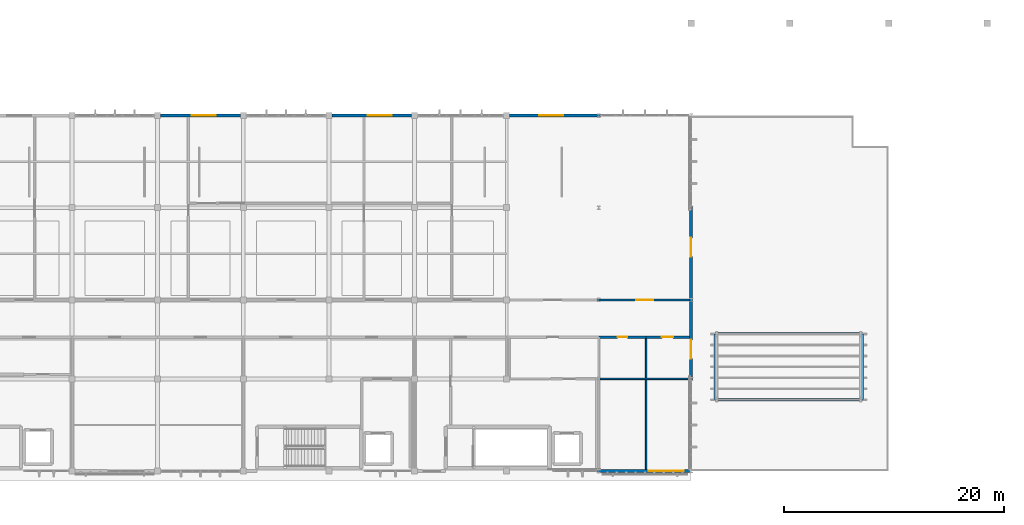
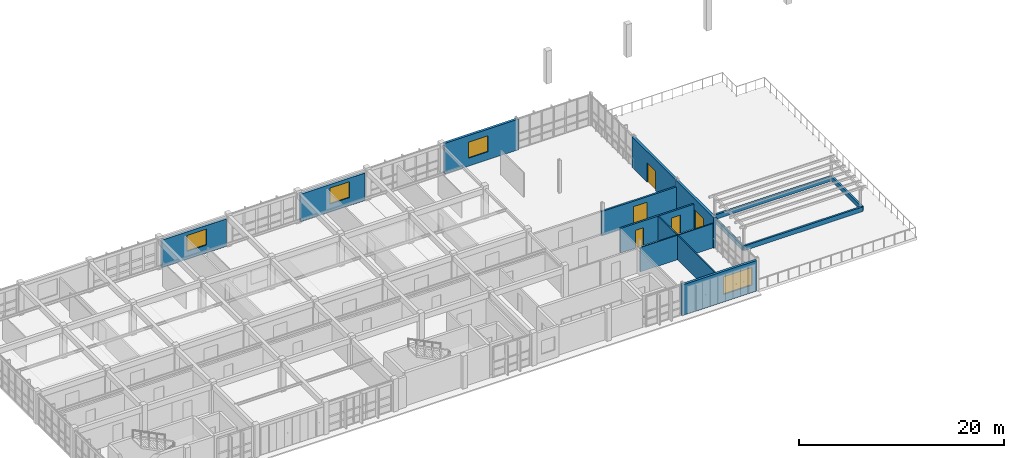
# One storey, part 24 of 35: 15 walls, 5 doors, 4 windows, 9 openings.
"""IFC4 building model written with IfcOpenShell, lengths in metres."""

from ifc_helpers import new_model, si_unit, direction, frame, frame_2d, origin, place, context, subcontext, project, spatial, rectangle, extrude, material, layer, layer_set, type_object, element, fill, save


model = new_model("IFC4")

# Units and contexts
model_context = context("Model", 3, precision=1e-05, world=origin(), true_north=direction((0.0, 1.0)))
body_context = subcontext(model_context, "Body", "Model", "MODEL_VIEW")
ifc_project = project(units=[si_unit("LENGTHUNIT", "METRE"), si_unit("AREAUNIT", "SQUARE_METRE"), si_unit("VOLUMEUNIT", "CUBIC_METRE"), si_unit("PLANEANGLEUNIT", "RADIAN"), si_unit("MASSUNIT", "GRAM", prefix="KILO")], contexts=[model_context])

# Site, building, storey
site_placement = place(None, origin())
site = spatial("IfcSite", under=ifc_project, at=site_placement, CompositionType="ELEMENT")
building_placement = place(site_placement, origin())
building = spatial("IfcBuilding", under=site, at=building_placement, Name="Tizgana Railside Sports Hall", CompositionType="ELEMENT")
storey_placement = place(building_placement, frame((0.0, 0.0, 15.89990234375)))
storey = spatial("IfcBuildingStorey", under=building, at=storey_placement, Name="L03", CompositionType="ELEMENT", Elevation=15.89990234375)

# Wall, opening, door
ifc_material_1 = material(Name="Masonry blockwork", Category="masonry")
ifc_layer_1 = layer(ifc_material_1, 0.199951171875, Name="Masonry blockwork")
ifc_layer_set_1 = layer_set([ifc_layer_1], Name="Masonry blockwork")
wall_type_1 = type_object("IfcWallType", Name="Corridor Compartment Partition 200", PredefinedType="STANDARD", material=ifc_layer_set_1)
wall_1_placement = place(storey_placement, frame((71.2548828125, 15.60009765625, 0.0), z_axis=(0.0, 0.0, 1.0), x_axis=(1.0, 0.0, 0.0)))
wall_1 = element("IfcWall", 1, at=wall_1_placement, inside=storey, type_object=wall_type_1, Name="L03 Partition PWAL-0170", PredefinedType="STANDARD", context=body_context, shape_type="SweptSolid", body=[
    extrude(rectangle(XDim=8.405029296875, YDim=0.199951171875, at=frame_2d((4.20263671875, 0.0))), origin(), (0.0, 0.0, 1.0), 2.900146484375),
])
opening_1_placement = place(wall_1_placement, frame((3.570068359375, 0.0, 0.0)))
opening_1 = element("IfcOpeningElement", 2, at=opening_1_placement, cuts=wall_1, Name="Opening D-0204", PredefinedType="OPENING", context=body_context, shape_type="SweptSolid", body=[
    extrude(rectangle(XDim=1.550048828125, YDim=2.25, at=frame_2d((0.77490234375, 1.125))), frame((0.0, 0.10986328125, 0.0), z_axis=(0.0, -1.0, 0.0), x_axis=(1.0, 0.0, 0.0)), (0.0, 0.0, 1.0), 0.219970703125),
])
ifc_material_2 = material(Name="Acoustic perforated timber", Category="wood")
door_type_1 = type_object("IfcDoorType", Name="Studio Acoustic Double Door 1550x2250", OperationType="NOTDEFINED", PredefinedType="DOOR", material=ifc_material_2)
door_1_placement = place(opening_1_placement, origin())
door_1 = element("IfcDoor", 3, at=door_1_placement, inside=storey, type_object=door_type_1, Name="L03 Door D-0204", OperationType="DOUBLE_DOOR_SINGLE_SWING", OverallHeight=2.25, OverallWidth=1.550048828125, PredefinedType="DOOR", context=body_context, shape_type="SweptSolid", body=[
    extrude(rectangle(XDim=1.550048828125, YDim=2.25, at=frame_2d((0.77490234375, 1.125))), frame((0.0, 0.02490234375, 0.0), z_axis=(0.0, -1.0, 0.0), x_axis=(1.0, 0.0, 0.0)), (0.0, 0.0, 1.0), 0.050048828125),
])
fill(opening_1, door_1)

wall_2_placement = place(storey_placement, frame((71.39990234375, 12.199951171875, 0.0), z_axis=(0.0, 0.0, 1.0), x_axis=(1.0, 0.0, 0.0)))
wall_2 = element("IfcWall", 4, at=wall_2_placement, inside=storey, type_object=wall_type_1, Name="L03 Partition PWAL-0171", PredefinedType="STANDARD", context=body_context, shape_type="SweptSolid", body=[
    extrude(rectangle(XDim=4.300048828125, YDim=0.199951171875, at=frame_2d((2.14990234375, 0.0))), origin(), (0.0, 0.0, 1.0), 2.900146484375),
])
opening_2_placement = place(wall_2_placement, frame((1.7099609375, 0.0, 0.0)))
opening_2 = element("IfcOpeningElement", 5, at=opening_2_placement, cuts=wall_2, Name="Opening D-0205", PredefinedType="OPENING", context=body_context, shape_type="SweptSolid", body=[
    extrude(rectangle(XDim=0.8798828125, YDim=2.10009765625, at=frame_2d((0.43994140625, 1.050048828125))), frame((0.0, 0.10986328125, 0.0), z_axis=(0.0, -1.0, 0.0), x_axis=(1.0, 0.0, 0.0)), (0.0, 0.0, 1.0), 0.219970703125),
])
ifc_material_3 = material(Name="Solid beech timber", Category="wood")
door_type_2 = type_object("IfcDoorType", Name="Public & Staff WC Door 880x2100", OperationType="NOTDEFINED", PredefinedType="DOOR", material=ifc_material_3)
door_2_placement = place(opening_2_placement, origin())
door_2 = element("IfcDoor", 6, at=door_2_placement, inside=storey, type_object=door_type_2, Name="L03 Door D-0205", OperationType="SINGLE_SWING_LEFT", OverallHeight=2.10009765625, OverallWidth=0.8798828125, PredefinedType="DOOR", context=body_context, shape_type="SweptSolid", body=[
    extrude(rectangle(XDim=0.8798828125, YDim=2.10009765625, at=frame_2d((0.43994140625, 1.050048828125))), frame((0.0, 0.02490234375, 0.0), z_axis=(0.0, -1.0, 0.0), x_axis=(1.0, 0.0, 0.0)), (0.0, 0.0, 1.0), 0.050048828125),
])
fill(opening_2, door_2)

wall_3_placement = place(storey_placement, frame((75.699951171875, 12.199951171875, 0.0), z_axis=(0.0, 0.0, 1.0), x_axis=(1.0, 0.0, 0.0)))
wall_3 = element("IfcWall", 7, at=wall_3_placement, inside=storey, type_object=wall_type_1, Name="L03 Partition PWAL-0172", PredefinedType="STANDARD", context=body_context, shape_type="SweptSolid", body=[
    extrude(rectangle(XDim=3.9599609375, YDim=0.199951171875, at=frame_2d((1.97998046875, 0.0))), origin(), (0.0, 0.0, 1.0), 2.900146484375),
])
opening_3_placement = place(wall_3_placement, frame((1.43994140625, 0.0, 0.0)))
opening_3 = element("IfcOpeningElement", 8, at=opening_3_placement, cuts=wall_3, Name="Opening D-0206", PredefinedType="OPENING", context=body_context, shape_type="SweptSolid", body=[
    extrude(rectangle(XDim=1.02001953125, YDim=2.14990234375, at=frame_2d((0.510009765625, 1.074951171875))), frame((0.0, 0.10986328125, 0.0), z_axis=(0.0, -1.0, 0.0), x_axis=(1.0, 0.0, 0.0)), (0.0, 0.0, 1.0), 0.219970703125),
])
door_type_3 = type_object("IfcDoorType", Name="Accessible Changing & WC Door 1020x2150", OperationType="NOTDEFINED", PredefinedType="DOOR", material=ifc_material_3)
door_3_placement = place(opening_3_placement, origin())
door_3 = element("IfcDoor", 9, at=door_3_placement, inside=storey, type_object=door_type_3, Name="L03 Door D-0206", OperationType="SINGLE_SWING_RIGHT", OverallHeight=2.14990234375, OverallWidth=1.02001953125, PredefinedType="DOOR", context=body_context, shape_type="SweptSolid", body=[
    extrude(rectangle(XDim=1.02001953125, YDim=2.14990234375, at=frame_2d((0.510009765625, 1.074951171875))), frame((0.0, 0.02490234375, 0.0), z_axis=(0.0, -1.0, 0.0), x_axis=(1.0, 0.0, 0.0)), (0.0, 0.0, 1.0), 0.050048828125),
])
fill(opening_3, door_3)

# Wall, opening, window
ifc_material_4 = material(Name="Precast concrete C40/50", Category="concrete")
ifc_layer_2 = layer(ifc_material_4, 0.27001953125, Name="Precast concrete C40/50")
ifc_layer_set_2 = layer_set([ifc_layer_2], Name="Precast concrete C40/50")
wall_type_2 = type_object("IfcWallType", Name="Exterior Studio Facade Wall 270", PredefinedType="STANDARD", material=ifc_layer_set_2)
wall_4_placement = place(storey_placement, frame((79.669921875, 0.0, 0.0), z_axis=(0.0, 0.0, 1.0), x_axis=(-1.0, 0.0, 0.0)))
wall_4 = element("IfcWall", 10, at=wall_4_placement, inside=storey, type_object=wall_type_2, Name="L03 Exterior Wall EWAL-0114", PredefinedType="STANDARD", context=body_context, shape_type="SweptSolid", body=[
    extrude(rectangle(XDim=8.4150390625, YDim=0.27001953125, at=frame_2d((4.20751953125, 0.0))), origin(), (0.0, 0.0, 1.0), 3.64013671875),
])
opening_4_placement = place(wall_4_placement, frame((0.52001953125, 0.0, 0.89990234375)))
opening_4 = element("IfcOpeningElement", 11, at=opening_4_placement, cuts=wall_4, Name="Opening W-0084", PredefinedType="OPENING", context=body_context, shape_type="SweptSolid", body=[
    extrude(rectangle(XDim=3.199951171875, YDim=2.10009765625, at=frame_2d((1.60009765625, 1.050048828125))), frame((0.0, 0.14501953125, 0.0), z_axis=(0.0, -1.0, 0.0), x_axis=(1.0, 0.0, 0.0)), (0.0, 0.0, 1.0), 0.2900390625),
])
ifc_material_5 = material(Name="Double low-E laminated glass", Category="glass")
window_type_1 = type_object("IfcWindowType", Name="Studio Wide Window 3200x2100", PartitioningType="SINGLE_PANEL", PredefinedType="WINDOW", material=ifc_material_5)
window_1_placement = place(opening_4_placement, origin())
window_1 = element("IfcWindow", 12, at=window_1_placement, inside=storey, type_object=window_type_1, Name="L03 Window W-0084", OverallHeight=2.10009765625, OverallWidth=3.199951171875, PartitioningType="SINGLE_PANEL", PredefinedType="WINDOW", context=body_context, shape_type="SweptSolid", body=[
    extrude(rectangle(XDim=3.199951171875, YDim=2.10009765625, at=frame_2d((1.60009765625, 1.050048828125))), frame((0.0, 0.030029296875, 0.0), z_axis=(0.0, -1.0, 0.0), x_axis=(1.0, 0.0, 0.0)), (0.0, 0.0, 1.0), 0.06005859375),
])
fill(opening_4, window_1)

wall_5_placement = place(storey_placement, frame((31.465087890625, 32.39990234375, 0.0), z_axis=(0.0, 0.0, 1.0), x_axis=(1.0, 0.0, 0.0)))
wall_5 = element("IfcWall", 13, at=wall_5_placement, inside=storey, type_object=wall_type_2, Name="L03 Exterior Wall EWAL-0116", PredefinedType="STANDARD", context=body_context, shape_type="SweptSolid", body=[
    extrude(rectangle(XDim=7.27001953125, YDim=0.27001953125, at=frame_2d((3.635009765625, 0.0))), origin(), (0.0, 0.0, 1.0), 3.27099609375),
])
opening_5_placement = place(wall_5_placement, frame((2.8349609375, 0.0, 0.949951171875)))
opening_5 = element("IfcOpeningElement", 14, at=opening_5_placement, cuts=wall_5, Name="Opening W-0086", PredefinedType="OPENING", context=body_context, shape_type="SweptSolid", body=[
    extrude(rectangle(XDim=2.199951171875, YDim=1.89990234375, at=frame_2d((1.10009765625, 0.949951171875))), frame((0.0, 0.14501953125, 0.0), z_axis=(0.0, -1.0, 0.0), x_axis=(1.0, 0.0, 0.0)), (0.0, 0.0, 1.0), 0.2900390625),
])
window_type_2 = type_object("IfcWindowType", Name="Clinic Double Window 2200x1900", PartitioningType="SINGLE_PANEL", PredefinedType="WINDOW", material=ifc_material_5)
window_2_placement = place(opening_5_placement, origin())
window_2 = element("IfcWindow", 15, at=window_2_placement, inside=storey, type_object=window_type_2, Name="L03 Window W-0086", OverallHeight=1.89990234375, OverallWidth=2.199951171875, PartitioningType="SINGLE_PANEL", PredefinedType="WINDOW", context=body_context, shape_type="SweptSolid", body=[
    extrude(rectangle(XDim=2.199951171875, YDim=1.89990234375, at=frame_2d((1.10009765625, 0.949951171875))), frame((0.0, 0.030029296875, 0.0), z_axis=(0.0, -1.0, 0.0), x_axis=(1.0, 0.0, 0.0)), (0.0, 0.0, 1.0), 0.06005859375),
])
fill(opening_5, window_2)

wall_6_placement = place(storey_placement, frame((47.06494140625, 32.39990234375, 0.0), z_axis=(0.0, 0.0, 1.0), x_axis=(1.0, 0.0, 0.0)))
wall_6 = element("IfcWall", 16, at=wall_6_placement, inside=storey, type_object=wall_type_2, Name="L03 Exterior Wall EWAL-0117", PredefinedType="STANDARD", context=body_context, shape_type="SweptSolid", body=[
    extrude(rectangle(XDim=7.27001953125, YDim=0.27001953125, at=frame_2d((3.635009765625, 0.0))), origin(), (0.0, 0.0, 1.0), 3.27099609375),
])
opening_6_placement = place(wall_6_placement, frame((3.284912109375, 0.0, 0.949951171875)))
opening_6 = element("IfcOpeningElement", 17, at=opening_6_placement, cuts=wall_6, Name="Opening W-0087", PredefinedType="OPENING", context=body_context, shape_type="SweptSolid", body=[
    extrude(rectangle(XDim=2.199951171875, YDim=1.89990234375, at=frame_2d((1.10009765625, 0.949951171875))), frame((0.0, 0.14501953125, 0.0), z_axis=(0.0, -1.0, 0.0), x_axis=(1.0, 0.0, 0.0)), (0.0, 0.0, 1.0), 0.2900390625),
])
window_3_placement = place(opening_6_placement, origin())
window_3 = element("IfcWindow", 18, at=window_3_placement, inside=storey, type_object=window_type_2, Name="L03 Window W-0087", OverallHeight=1.89990234375, OverallWidth=2.199951171875, PartitioningType="SINGLE_PANEL", PredefinedType="WINDOW", context=body_context, shape_type="SweptSolid", body=[
    extrude(rectangle(XDim=2.199951171875, YDim=1.89990234375, at=frame_2d((1.10009765625, 0.949951171875))), frame((0.0, 0.030029296875, 0.0), z_axis=(0.0, -1.0, 0.0), x_axis=(1.0, 0.0, 0.0)), (0.0, 0.0, 1.0), 0.06005859375),
])
fill(opening_6, window_3)

wall_7_placement = place(storey_placement, frame((63.264892578125, 32.39990234375, 0.0), z_axis=(0.0, 0.0, 1.0), x_axis=(1.0, 0.0, 0.0)))
wall_7 = element("IfcWall", 19, at=wall_7_placement, inside=storey, type_object=wall_type_2, Name="L03 Exterior Wall EWAL-0118", PredefinedType="STANDARD", context=body_context, shape_type="SweptSolid", body=[
    extrude(rectangle(XDim=8.2900390625, YDim=0.27001953125, at=frame_2d((4.14501953125, 0.0))), origin(), (0.0, 0.0, 1.0), 3.64013671875),
])
opening_7_placement = place(wall_7_placement, frame((2.68505859375, 0.0, 0.949951171875)))
opening_7 = element("IfcOpeningElement", 20, at=opening_7_placement, cuts=wall_7, Name="Opening W-0088", PredefinedType="OPENING", context=body_context, shape_type="SweptSolid", body=[
    extrude(rectangle(XDim=2.199951171875, YDim=1.89990234375, at=frame_2d((1.10009765625, 0.949951171875))), frame((0.0, 0.14501953125, 0.0), z_axis=(0.0, -1.0, 0.0), x_axis=(1.0, 0.0, 0.0)), (0.0, 0.0, 1.0), 0.2900390625),
])
window_4_placement = place(opening_7_placement, origin())
window_4 = element("IfcWindow", 21, at=window_4_placement, inside=storey, type_object=window_type_2, Name="L03 Window W-0088", OverallHeight=1.89990234375, OverallWidth=2.199951171875, PartitioningType="SINGLE_PANEL", PredefinedType="WINDOW", context=body_context, shape_type="SweptSolid", body=[
    extrude(rectangle(XDim=2.199951171875, YDim=1.89990234375, at=frame_2d((1.10009765625, 0.949951171875))), frame((0.0, 0.030029296875, 0.0), z_axis=(0.0, -1.0, 0.0), x_axis=(1.0, 0.0, 0.0)), (0.0, 0.0, 1.0), 0.06005859375),
])
fill(opening_7, window_4)

# Wall, opening, door
wall_8_placement = place(storey_placement, frame((79.800048828125, 15.72509765625, 0.0), z_axis=(0.0, 0.0, 1.0), x_axis=(0.0, -1.0, 0.0)))
wall_8 = element("IfcWall", 22, at=wall_8_placement, inside=storey, type_object=wall_type_2, Name="L03 Exterior Wall EWAL-0119", PredefinedType="STANDARD", context=body_context, shape_type="SweptSolid", body=[
    extrude(rectangle(XDim=7.489990234375, YDim=0.27001953125, at=frame_2d((3.7451171875, 0.0))), origin(), (0.0, 0.0, 1.0), 3.64013671875),
])
opening_8_placement = place(wall_8_placement, frame((3.77490234375, 0.0, 0.0)))
opening_8 = element("IfcOpeningElement", 23, at=opening_8_placement, cuts=wall_8, Name="Opening D-0027", PredefinedType="OPENING", context=body_context, shape_type="SweptSolid", body=[
    extrude(rectangle(XDim=1.699951171875, YDim=2.300048828125, at=frame_2d((0.85009765625, 1.14990234375))), frame((0.0, 0.14501953125, 0.0), z_axis=(0.0, -1.0, 0.0), x_axis=(1.0, 0.0, 0.0)), (0.0, 0.0, 1.0), 0.2900390625),
])
ifc_material_6 = material(Name="Anodised aluminium and glass", Category="aluminium")
door_type_4 = type_object("IfcDoorType", Name="Planted Terrace Double Door 1700x2300", OperationType="NOTDEFINED", PredefinedType="DOOR", material=ifc_material_6)
door_4_placement = place(opening_8_placement, origin())
door_4 = element("IfcDoor", 24, at=door_4_placement, inside=storey, type_object=door_type_4, Name="L03 Door D-0027", OperationType="DOUBLE_DOOR_SINGLE_SWING", OverallHeight=2.300048828125, OverallWidth=1.699951171875, PredefinedType="DOOR", context=body_context, shape_type="SweptSolid", body=[
    extrude(rectangle(XDim=1.699951171875, YDim=2.300048828125, at=frame_2d((0.85009765625, 1.14990234375))), frame((0.0, 0.02490234375, 0.0), z_axis=(0.0, -1.0, 0.0), x_axis=(1.0, 0.0, 0.0)), (0.0, 0.0, 1.0), 0.050048828125),
])
fill(opening_8, door_4)

wall_9_placement = place(storey_placement, frame((79.800048828125, 24.155029296875, 0.0), z_axis=(0.0, 0.0, 1.0), x_axis=(0.0, -1.0, 0.0)))
wall_9 = element("IfcWall", 25, at=wall_9_placement, inside=storey, type_object=wall_type_2, Name="L03 Exterior Wall EWAL-0120", PredefinedType="STANDARD", context=body_context, shape_type="SweptSolid", body=[
    extrude(rectangle(XDim=8.425048828125, YDim=0.27001953125, at=frame_2d((4.21240234375, 0.0))), origin(), (0.0, 0.0, 1.0), 3.64013671875),
])
opening_9_placement = place(wall_9_placement, frame((2.905029296875, 0.0, 0.0)))
opening_9 = element("IfcOpeningElement", 26, at=opening_9_placement, cuts=wall_9, Name="Opening D-0028", PredefinedType="OPENING", context=body_context, shape_type="SweptSolid", body=[
    extrude(rectangle(XDim=1.699951171875, YDim=2.300048828125, at=frame_2d((0.85009765625, 1.14990234375))), frame((0.0, 0.14501953125, 0.0), z_axis=(0.0, -1.0, 0.0), x_axis=(1.0, 0.0, 0.0)), (0.0, 0.0, 1.0), 0.2900390625),
])
door_5_placement = place(opening_9_placement, origin())
door_5 = element("IfcDoor", 27, at=door_5_placement, inside=storey, type_object=door_type_4, Name="L03 Door D-0028", OperationType="DOUBLE_DOOR_SINGLE_SWING", OverallHeight=2.300048828125, OverallWidth=1.699951171875, PredefinedType="DOOR", context=body_context, shape_type="SweptSolid", body=[
    extrude(rectangle(XDim=1.699951171875, YDim=2.300048828125, at=frame_2d((0.85009765625, 1.14990234375))), frame((0.0, 0.02490234375, 0.0), z_axis=(0.0, -1.0, 0.0), x_axis=(1.0, 0.0, 0.0)), (0.0, 0.0, 1.0), 0.050048828125),
])
fill(opening_9, door_5)

# Walls
ifc_material_7 = material(Name="Acoustic gypsum stud")
ifc_layer_3 = layer(ifc_material_7, 0.1298828125, Name="Acoustic gypsum stud")
ifc_layer_set_3 = layer_set([ifc_layer_3], Name="Acoustic gypsum stud")
wall_type_3 = type_object("IfcWallType", Name="General Interior Partition 130", PredefinedType="STANDARD", material=ifc_layer_set_3)
wall_10_placement = place(storey_placement, frame((75.699951171875, 0.14990234375, 0.0), z_axis=(0.0, 0.0, 1.0), x_axis=(0.0, 1.0, 0.0)))
element("IfcWall", 28, at=wall_10_placement, inside=storey, type_object=wall_type_3, Name="L03 Partition PWAL-0184", PredefinedType="STANDARD", context=body_context, shape_type="SweptSolid", body=[
    extrude(rectangle(XDim=12.050048828125, YDim=0.1298828125, at=frame_2d((6.02490234375, 0.0))), origin(), (0.0, 0.0, 1.0), 2.900146484375),
])
wall_11_placement = place(storey_placement, frame((71.469970703125, 8.39990234375, 0.0), z_axis=(0.0, 0.0, 1.0), x_axis=(1.0, 0.0, 0.0)))
element("IfcWall", 29, at=wall_11_placement, inside=storey, type_object=wall_type_3, Name="L03 Partition PWAL-0187", PredefinedType="STANDARD", context=body_context, shape_type="SweptSolid", body=[
    extrude(rectangle(XDim=8.18994140625, YDim=0.1298828125, at=frame_2d((4.094970703125, 0.0))), origin(), (0.0, 0.0, 1.0), 2.900146484375),
])
ifc_material_8 = material(Name="Concrete C35/45", Category="concrete")
ifc_layer_4 = layer(ifc_material_8, 0.2099609375, Name="Concrete C35/45")
ifc_layer_set_4 = layer_set([ifc_layer_4], Name="Concrete C35/45")
wall_type_4 = type_object("IfcWallType", Name="Roof Parapet Upstand 210", PredefinedType="PARAPET", material=ifc_layer_set_4)
wall_12_placement = place(storey_placement, frame((82.0, 6.5, 0.0), z_axis=(0.0, 0.0, 1.0), x_axis=(1.0, 0.0, 0.0)))
element("IfcWall", 30, at=wall_12_placement, inside=storey, type_object=wall_type_4, Name="L03 Roof Garden Planter Kerb", PredefinedType="PARAPET", context=body_context, shape_type="SweptSolid", body=[
    extrude(rectangle(XDim=13.39990234375, YDim=0.2099609375, at=frame_2d((6.699951171875, 0.0))), origin(), (0.0, 0.0, 1.0), 0.550048828125),
])
wall_13_placement = place(storey_placement, frame((95.39990234375, 6.5, 0.0), z_axis=(0.0, 0.0, 1.0), x_axis=(0.0, 1.0, 0.0)))
element("IfcWall", 31, at=wall_13_placement, inside=storey, type_object=wall_type_4, Name="L03 Roof Garden Planter Kerb", PredefinedType="PARAPET", context=body_context, shape_type="SweptSolid", body=[
    extrude(rectangle(XDim=6.0, YDim=0.2099609375, at=frame_2d((3.0, 0.0))), origin(), (0.0, 0.0, 1.0), 0.550048828125),
])
wall_14_placement = place(storey_placement, frame((95.39990234375, 12.5, 0.0), z_axis=(0.0, 0.0, 1.0), x_axis=(-1.0, 0.0, 0.0)))
element("IfcWall", 32, at=wall_14_placement, inside=storey, type_object=wall_type_4, Name="L03 Roof Garden Planter Kerb", PredefinedType="PARAPET", context=body_context, shape_type="SweptSolid", body=[
    extrude(rectangle(XDim=13.39990234375, YDim=0.2099609375, at=frame_2d((6.699951171875, 0.0))), origin(), (0.0, 0.0, 1.0), 0.550048828125),
])
wall_15_placement = place(storey_placement, frame((82.0, 12.5, 0.0), z_axis=(0.0, 0.0, 1.0), x_axis=(0.0, -1.0, 0.0)))
element("IfcWall", 33, at=wall_15_placement, inside=storey, type_object=wall_type_4, Name="L03 Roof Garden Planter Kerb", PredefinedType="PARAPET", context=body_context, shape_type="SweptSolid", body=[
    extrude(rectangle(XDim=6.0, YDim=0.2099609375, at=frame_2d((3.0, 0.0))), origin(), (0.0, 0.0, 1.0), 0.550048828125),
])

save(model, "model.ifc")
